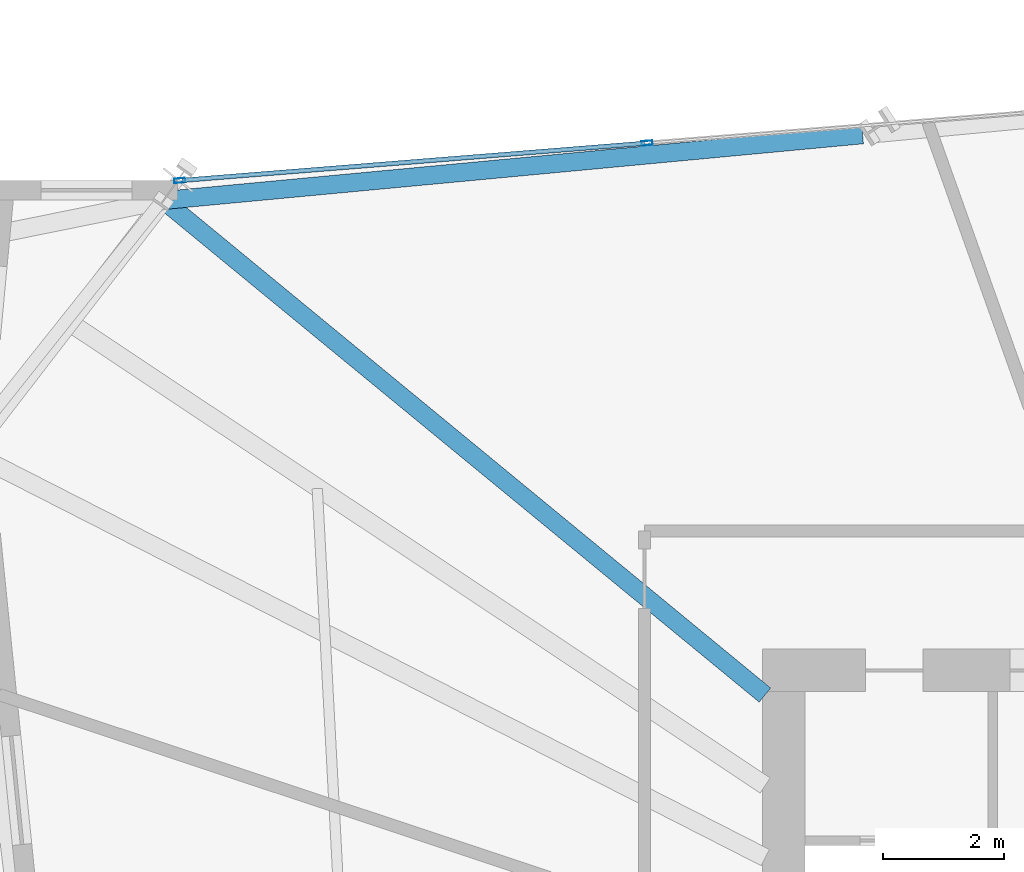
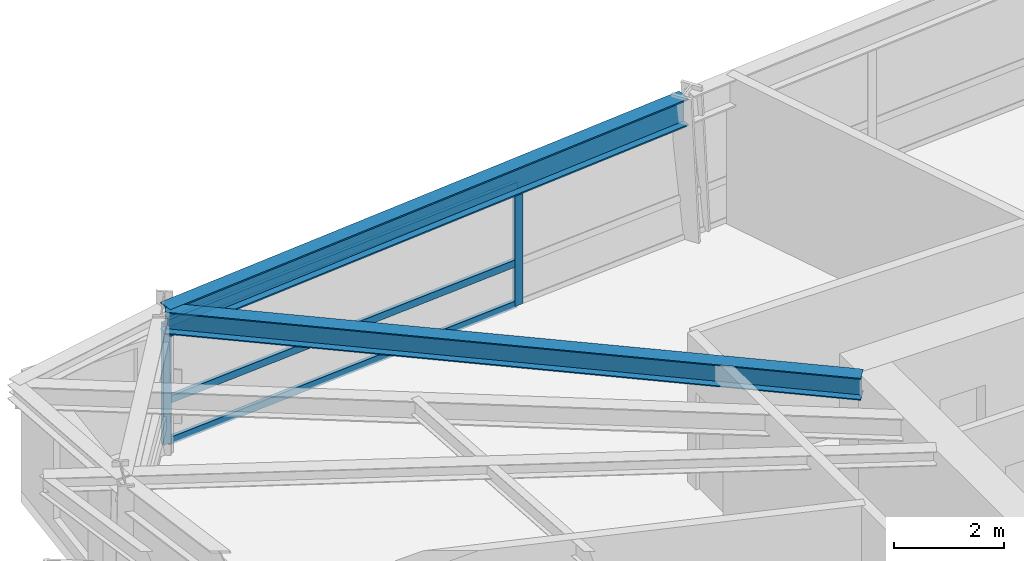
# One storey, part 6 of 18: 5 members, 2 beams, 1 element without a shape of its own.
"""IFC4 building model written with IfcOpenShell, lengths in metres."""

from ifc_helpers import new_model, si_unit, direction, frame, origin, origin_2d, place, context, subcontext, project, spatial, hollow_rectangle, i_section, extrude, source, transform, mapped, material, material_profile, profile_set, type_object, element, aggregate, save


model = new_model("IFC4")

# Units and contexts
model_context = context("Model", 3, precision=1e-05, world=origin(), true_north=direction((0.0, 1.0)))
body_context = subcontext(model_context, "Body", "Model", "MODEL_VIEW")
ifc_project = project(units=[si_unit("LENGTHUNIT", "METRE"), si_unit("AREAUNIT", "SQUARE_METRE"), si_unit("VOLUMEUNIT", "CUBIC_METRE"), si_unit("PLANEANGLEUNIT", "RADIAN"), si_unit("MASSUNIT", "GRAM", prefix="KILO")], contexts=[model_context])

# Site, building, storey
site_placement = place(None, origin())
site = spatial("IfcSite", under=ifc_project, at=site_placement, CompositionType="ELEMENT")
building_placement = place(site_placement, origin())
building = spatial("IfcBuilding", under=site, at=building_placement, Name="Olszyna Solenne Hotel", CompositionType="ELEMENT")
storey_placement = place(building_placement, frame((0.0, 0.0, 112.800048828125)))
storey = spatial("IfcBuildingStorey", under=building, at=storey_placement, Name="L29", CompositionType="ELEMENT", Elevation=112.800048828125)

# Beams
ifc_material_1 = material(Name="Steel S355J2", Category="steel")
ifc_material_profile_1 = material_profile(ifc_material_1, i_section(OverallWidth=0.300048828125, OverallDepth=0.60009765625, WebThickness=0.015380859375, FlangeThickness=0.030029296875, at=origin_2d()), Name="HEB 600", Category="load-bearing")
ifc_profile_set_1 = profile_set([ifc_material_profile_1], Name="Steel S355J2")
beam_type_1 = type_object("IfcBeamType", Name="BM-S2", PredefinedType="BEAM", material=ifc_profile_set_1)
shared_shape_1 = source(origin(), body_context, "Body", "SweptSolid", [
    extrude(i_section(OverallWidth=0.300048828125, OverallDepth=0.60009765625, WebThickness=0.015380859375, FlangeThickness=0.030029296875, at=origin_2d()), origin(), (0.0, 0.0, 1.0), 11.525390625),
])
beam_1_placement = place(storey_placement, frame((31.0498046875, 42.888427734375, 3.0), z_axis=(-0.995611249685, -0.09358546629, 0.0), x_axis=(0.09358546629, -0.995611249685, 0.0)))
element("IfcBeam", 1, at=beam_1_placement, inside=storey, type_object=beam_type_1, Name="Perimeter spandrel beam BM-S2 B-L29-0871", PredefinedType="BEAM", context=body_context, shape_type="MappedRepresentation", body=[
    mapped(shared_shape_1, transform((0.0, 0.0, 0.0), x_axis=(1.0, 0.0, 0.0), y_axis=(0.0, 1.0, 0.0), z_axis=(0.0, 0.0, 1.0), scale=1.0)),
])
ifc_material_profile_2 = material_profile(ifc_material_1, i_section(OverallWidth=0.300048828125, OverallDepth=0.489990234375, WebThickness=0.011962890625, FlangeThickness=0.02294921875, at=origin_2d()), Name="HEA 500", Category="load-bearing")
ifc_profile_set_2 = profile_set([ifc_material_profile_2], Name="Steel S355J2")
beam_type_2 = type_object("IfcBeamType", Name="BM-G1", PredefinedType="BEAM", material=ifc_profile_set_2)
shared_shape_2 = source(origin(), body_context, "Body", "SweptSolid", [
    extrude(i_section(OverallWidth=0.300048828125, OverallDepth=0.489990234375, WebThickness=0.011962890625, FlangeThickness=0.02294921875, at=origin_2d()), origin(), (0.0, 0.0, 1.0), 12.7890625),
])
beam_2_placement = place(storey_placement, frame((19.5615234375, 41.76611328125, 3.054931640625), z_axis=(0.772319130939, -0.635234728258, 0.0), x_axis=(0.635234728258, 0.772319130939, 0.0)))
element("IfcBeam", 2, at=beam_2_placement, inside=storey, type_object=beam_type_2, Name="Radial floor girder BM-G1 B-L29-0883", PredefinedType="BEAM", context=body_context, shape_type="MappedRepresentation", body=[
    mapped(shared_shape_2, transform((0.0, 0.0, 0.0), x_axis=(1.0, 0.0, 0.0), y_axis=(0.0, 1.0, 0.0), z_axis=(0.0, 0.0, 1.0), scale=1.0)),
])

# Curtain wall, members
ifc_material_2 = material(Name="Anodised bronze aluminium", Category="aluminium")
curtain_wall_type = type_object("IfcCurtainWallType", Name="CW-SYS-3", PredefinedType="NOTDEFINED", material=ifc_material_2)
curtain_wall_placement = place(storey_placement, origin())
curtain_wall = element("IfcCurtainWall", 3, at=curtain_wall_placement, inside=storey, type_object=curtain_wall_type, Name="Unitised curtain wall CW-SYS-3 CW-L29-02", PredefinedType="NOTDEFINED")
ifc_material_profile_3 = material_profile(ifc_material_2, hollow_rectangle(XDim=0.074951171875, YDim=0.179931640625, WallThickness=0.00439453125, at=origin_2d()), Name="MULL 180x75x4.5", Category="load-bearing")
ifc_profile_set_3 = profile_set([ifc_material_profile_3], Name="Anodised bronze aluminium")
member_type_1 = type_object("IfcMemberType", Name="CW-M2", PredefinedType="MULLION", material=ifc_profile_set_3)
shared_shape_3 = source(origin(), body_context, "Body", "SweptSolid", [
    extrude(hollow_rectangle(XDim=0.074951171875, YDim=0.179931640625, WallThickness=0.00439453125, at=origin_2d()), origin(), (0.0, 0.0, 1.0), 2.69189453125),
])
member_1_placement = place(storey_placement, frame((19.7822265625, 42.13232421875, 0.0), z_axis=(0.0, 0.0, 1.0), x_axis=(-0.079902860411, 0.996802654941, 0.0)))
member_1 = element("IfcMember", 4, at=member_1_placement, type_object=member_type_1, Name="Curtain-wall mullion CW-M2 CM-L29-02-01", PredefinedType="MULLION", context=body_context, shape_type="MappedRepresentation", body=[
    mapped(shared_shape_3, transform((0.0, 0.0, 0.0), x_axis=(1.0, 0.0, 0.0), y_axis=(0.0, 1.0, 0.0), z_axis=(0.0, 0.0, 1.0), scale=1.0)),
])
member_2_placement = place(storey_placement, frame((27.494140625, 42.75048828125, 0.0), z_axis=(0.0, 0.0, 1.0), x_axis=(-0.079902860411, 0.996802654941, 0.0)))
member_2 = element("IfcMember", 5, at=member_2_placement, type_object=member_type_1, Name="Curtain-wall mullion CW-M2 CM-L29-02-02", PredefinedType="MULLION", context=body_context, shape_type="MappedRepresentation", body=[
    mapped(shared_shape_3, transform((0.0, 0.0, 0.0), x_axis=(1.0, 0.0, 0.0), y_axis=(0.0, 1.0, 0.0), z_axis=(0.0, 0.0, 1.0), scale=1.0)),
])
ifc_material_profile_4 = material_profile(ifc_material_2, hollow_rectangle(XDim=0.074951171875, YDim=0.159912109375, WallThickness=0.00390625, at=origin_2d()), Name="TRAN 160x75x4", Category="load-bearing")
ifc_profile_set_4 = profile_set([ifc_material_profile_4], Name="Anodised bronze aluminium")
member_type_2 = type_object("IfcMemberType", Name="CW-T1", PredefinedType="USERDEFINED", material=ifc_profile_set_4)
shared_shape_4 = source(origin(), body_context, "Body", "SweptSolid", [
    extrude(hollow_rectangle(XDim=0.074951171875, YDim=0.159912109375, WallThickness=0.00390625, at=origin_2d()), origin(), (0.0, 0.0, 1.0), 7.66162109375),
])
member_3_placement = place(storey_placement, frame((19.819580078125, 42.135498046875, 0.037353515625), z_axis=(0.996804022118, 0.079885802808, 0.0), x_axis=(-0.079885802808, 0.996804022118, 0.0)))
member_3 = element("IfcMember", 6, at=member_3_placement, type_object=member_type_2, Name="Curtain-wall transom CW-T1 CT-L29-02-01", ObjectType="TRANSOM", PredefinedType="USERDEFINED", context=body_context, shape_type="MappedRepresentation", body=[
    mapped(shared_shape_4, transform((0.0, 0.0, 0.0), x_axis=(1.0, 0.0, 0.0), y_axis=(0.0, 1.0, 0.0), z_axis=(0.0, 0.0, 1.0), scale=1.0)),
])
member_4_placement = place(storey_placement, frame((19.819580078125, 42.135498046875, 0.949951171875), z_axis=(0.996804022118, 0.079885802808, 0.0), x_axis=(-0.079885802808, 0.996804022118, 0.0)))
member_4 = element("IfcMember", 7, at=member_4_placement, type_object=member_type_2, Name="Curtain-wall transom CW-T1 CT-L29-02-02", ObjectType="TRANSOM", PredefinedType="USERDEFINED", context=body_context, shape_type="MappedRepresentation", body=[
    mapped(shared_shape_4, transform((0.0, 0.0, 0.0), x_axis=(1.0, 0.0, 0.0), y_axis=(0.0, 1.0, 0.0), z_axis=(0.0, 0.0, 1.0), scale=1.0)),
])
member_5_placement = place(storey_placement, frame((19.819580078125, 42.135498046875, 2.654541015625), z_axis=(0.996804022118, 0.079885802808, 0.0), x_axis=(-0.079885802808, 0.996804022118, 0.0)))
member_5 = element("IfcMember", 8, at=member_5_placement, type_object=member_type_2, Name="Curtain-wall transom CW-T1 CT-L29-02-03", ObjectType="TRANSOM", PredefinedType="USERDEFINED", context=body_context, shape_type="MappedRepresentation", body=[
    mapped(shared_shape_4, transform((0.0, 0.0, 0.0), x_axis=(1.0, 0.0, 0.0), y_axis=(0.0, 1.0, 0.0), z_axis=(0.0, 0.0, 1.0), scale=1.0)),
])
aggregate(curtain_wall, [member_1, member_2, member_3, member_4, member_5])

save(model, "model.ifc")
